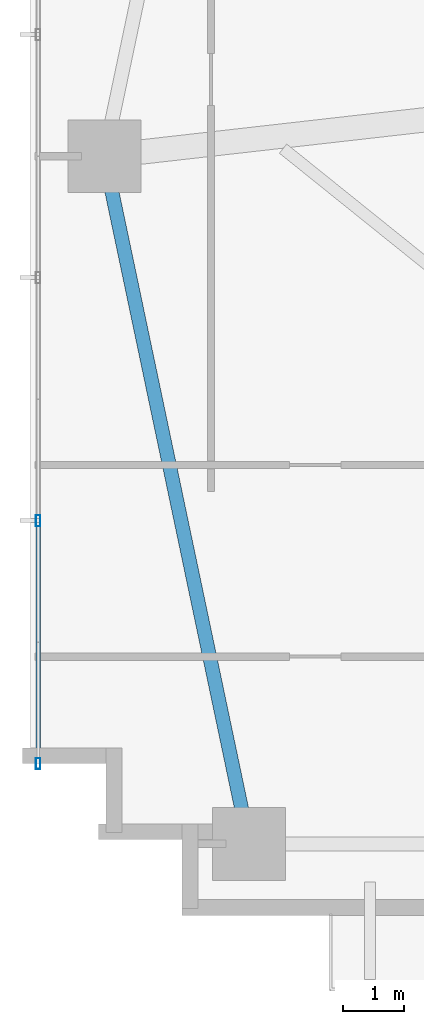
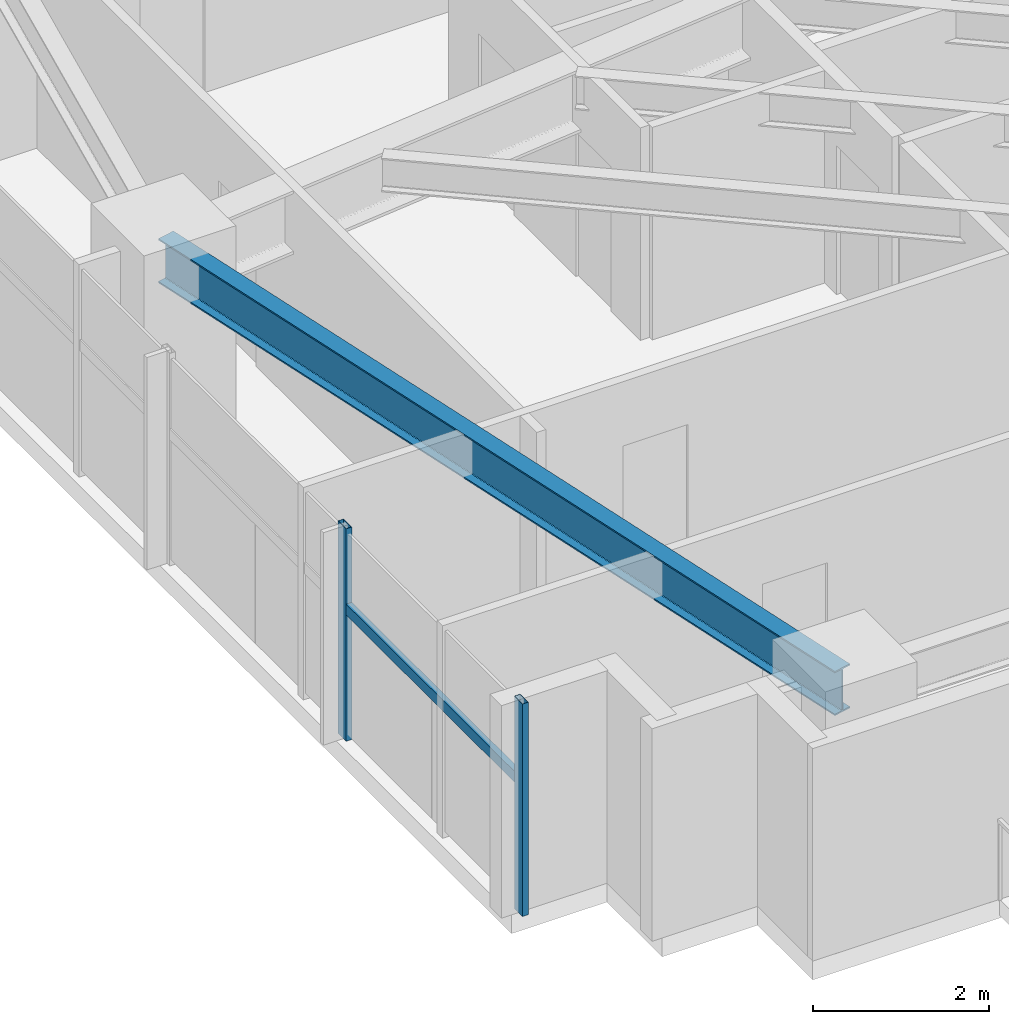
# One storey, part 2 of 25: 3 members, 1 beam, 1 element without a shape of its own.
"""IFC4 building model written with IfcOpenShell, lengths in metres."""

from ifc_helpers import new_model, si_unit, direction, frame, origin, origin_2d, place, context, subcontext, project, spatial, hollow_rectangle, i_section, extrude, source, transform, mapped, material, material_profile, profile_set, type_object, type_shapes, element, aggregate, save


model = new_model("IFC4")

# Units and contexts
model_context = context("Model", 3, precision=1e-05, world=origin(), true_north=direction((0.0, 1.0)))
body_context = subcontext(model_context, "Body", "Model", "MODEL_VIEW")
ifc_project = project(units=[si_unit("LENGTHUNIT", "METRE"), si_unit("AREAUNIT", "SQUARE_METRE"), si_unit("VOLUMEUNIT", "CUBIC_METRE"), si_unit("PLANEANGLEUNIT", "RADIAN"), si_unit("MASSUNIT", "GRAM", prefix="KILO")], contexts=[model_context])

# Site, building, storey
site_placement = place(None, origin())
site = spatial("IfcSite", under=ifc_project, at=site_placement, CompositionType="ELEMENT")
building_placement = place(site_placement, origin())
building = spatial("IfcBuilding", under=site, at=building_placement, Name="Astriad Promenade Condominiums", CompositionType="ELEMENT")
storey_placement = place(building_placement, frame((0.0, 0.0, 42.199951171875)))
storey = spatial("IfcBuildingStorey", under=building, at=storey_placement, Name="L11", CompositionType="ELEMENT", Elevation=42.199951171875)

# Beam
ifc_material_1 = material(Name="Steel ASTM A992 Grade 50", Category="steel")
ifc_material_profile_1 = material_profile(ifc_material_1, i_section(OverallWidth=0.22900390625, OverallDepth=0.612060546875, WebThickness=0.011962890625, FlangeThickness=0.01953125, FilletRadius=0.017822265625, at=origin_2d()), Name="W24X84")
ifc_profile_set_1 = profile_set([ifc_material_profile_1], Name="Steel ASTM A992 Grade 50")
beam_type = type_object("IfcBeamType", Name="STEEL SPANDREL BEAM W24X84", PredefinedType="SPANDREL", material=ifc_profile_set_1)
shared_shape_1 = source(origin(), body_context, "Body", "SweptSolid", [
    extrude(i_section(OverallWidth=0.22900390625, OverallDepth=0.612060546875, WebThickness=0.011962890625, FlangeThickness=0.01953125, FilletRadius=0.017822265625, at=origin_2d()), origin(), (0.0, 0.0, 1.0), 11.487548828125),
])
type_shapes(beam_type, [shared_shape_1])
beam_placement = place(storey_placement, frame((7.0283203125, 15.160888671875, 2.634033203125), z_axis=(0.205748055501, -0.978604995725, 0.0), x_axis=(0.978604995725, 0.205748055501, 0.0)))
element("IfcBeam", 1, at=beam_placement, inside=storey, type_object=beam_type, Name="Perimeter Spandrel Beam SP-W1-L11", PredefinedType="SPANDREL", context=body_context, shape_type="MappedRepresentation", body=[
    mapped(shared_shape_1, transform((0.0, 0.0, 0.0), scale=1.0)),
])

# Curtain wall, members
ifc_material_2 = material(Name="Anodised aluminium Black Dark Glass Unitised", Category="aluminium")
curtain_wall_type = type_object("IfcCurtainWallType", Name="CW-B1-DARK", PredefinedType="USERDEFINED", material=ifc_material_2)
curtain_wall_placement = place(storey_placement, origin())
curtain_wall = element("IfcCurtainWall", 2, at=curtain_wall_placement, inside=storey, type_object=curtain_wall_type, Name="CW-L11-W", ObjectType="UNITISED_CURTAIN_WALL", PredefinedType="USERDEFINED")
ifc_material_3 = material(Name="Anodised aluminium 6063-T6 Black", Category="aluminium")
ifc_material_profile_2 = material_profile(ifc_material_3, hollow_rectangle(XDim=0.074951171875, YDim=0.18505859375, WallThickness=0.00439453125, at=origin_2d()), Name="ALU-MUL-75X185")
ifc_profile_set_2 = profile_set([ifc_material_profile_2], Name="Anodised aluminium 6063-T6 Black")
member_type_1 = type_object("IfcMemberType", Name="MUL-ALU-MUL-75X185", PredefinedType="MULLION", material=ifc_profile_set_2)
shared_shape_2 = source(origin(), body_context, "Body", "SweptSolid", [
    extrude(hollow_rectangle(XDim=0.074951171875, YDim=0.18505859375, WallThickness=0.00439453125, at=origin_2d()), origin(), (0.0, 0.0, 1.0), 2.93994140625),
])
type_shapes(member_type_1, [shared_shape_2])
member_1_placement = place(storey_placement, frame((5.929931640625, 5.199951171875, 0.0), z_axis=(0.0, 0.0, 1.0), x_axis=(1.0, 0.0, 0.0)))
member_1 = element("IfcMember", 3, at=member_1_placement, type_object=member_type_1, Name="CW-L11-W-MUL-00", PredefinedType="MULLION", context=body_context, shape_type="MappedRepresentation", body=[
    mapped(shared_shape_2, transform((0.0, 0.0, 0.0), scale=1.0)),
])
member_2_placement = place(storey_placement, frame((5.929931640625, 9.199951171875, 0.0), z_axis=(0.0, 0.0, 1.0), x_axis=(1.0, 0.0, 0.0)))
member_2 = element("IfcMember", 4, at=member_2_placement, type_object=member_type_1, Name="CW-L11-W-MUL-01", PredefinedType="MULLION", context=body_context, shape_type="MappedRepresentation", body=[
    mapped(shared_shape_2, transform((0.0, 0.0, 0.0), scale=1.0)),
])
ifc_material_profile_3 = material_profile(ifc_material_3, hollow_rectangle(XDim=0.074951171875, YDim=0.14990234375, WallThickness=0.004150390625, at=origin_2d()), Name="ALU-TRN-75X150")
ifc_profile_set_3 = profile_set([ifc_material_profile_3], Name="Anodised aluminium 6063-T6 Black")
member_type_2 = type_object("IfcMemberType", Name="TRN-ALU-TRN-75X150", PredefinedType="USERDEFINED", material=ifc_profile_set_3)
shared_shape_3 = source(origin(), body_context, "Body", "SweptSolid", [
    extrude(hollow_rectangle(XDim=0.074951171875, YDim=0.14990234375, WallThickness=0.004150390625, at=origin_2d()), origin(), (0.0, 0.0, 1.0), 4.0),
])
type_shapes(member_type_2, [shared_shape_3])
member_3_placement = place(storey_placement, frame((5.929931640625, 5.199951171875, 1.82275390625), z_axis=(0.0, 1.0, 0.0), x_axis=(-1.0, 0.0, 0.0)))
member_3 = element("IfcMember", 5, at=member_3_placement, type_object=member_type_2, Name="CW-L11-W-TRN-00-0", ObjectType="TRANSOM", PredefinedType="USERDEFINED", context=body_context, shape_type="MappedRepresentation", body=[
    mapped(shared_shape_3, transform((0.0, 0.0, 0.0), scale=1.0)),
])
aggregate(curtain_wall, [member_1, member_2, member_3])

save(model, "model.ifc")
